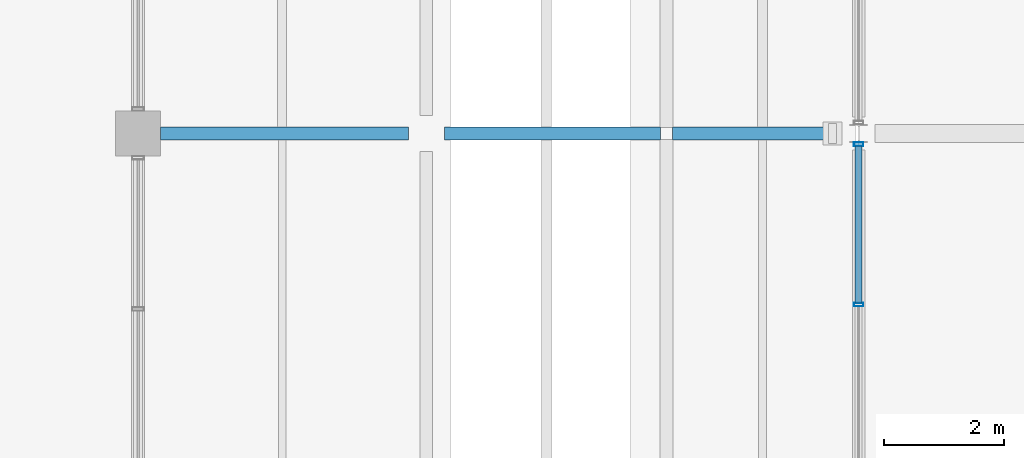
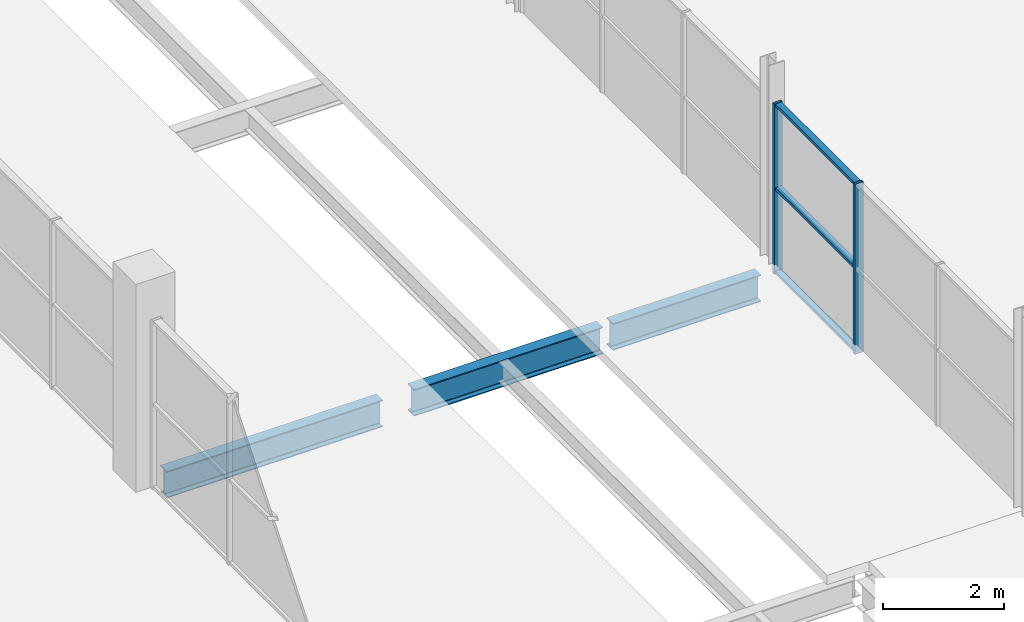
# One storey, part 108 of 161: 5 members, 3 beams, 1 element without a shape of its own.
"""IFC4 building model written with IfcOpenShell, lengths in metres."""

from ifc_helpers import new_model, si_unit, direction, frame, origin, origin_2d, place, context, subcontext, project, spatial, hollow_rectangle, i_section, extrude, material, material_profile, profile_set, type_object, element, aggregate, save


model = new_model("IFC4")

# Units and contexts
model_context = context("Model", 3, precision=1e-05, world=origin(), true_north=direction((0.0, 1.0)))
body_context = subcontext(model_context, "Body", "Model", "MODEL_VIEW")
ifc_project = project(units=[si_unit("LENGTHUNIT", "METRE"), si_unit("AREAUNIT", "SQUARE_METRE"), si_unit("VOLUMEUNIT", "CUBIC_METRE"), si_unit("PLANEANGLEUNIT", "RADIAN"), si_unit("MASSUNIT", "GRAM", prefix="KILO"), si_unit("THERMODYNAMICTEMPERATUREUNIT", "KELVIN")], contexts=[model_context])

# Site, building, storey
site_placement = place(None, origin())
site = spatial("IfcSite", under=ifc_project, at=site_placement, CompositionType="ELEMENT")
building_placement = place(site_placement, origin())
building = spatial("IfcBuilding", under=site, at=building_placement, Name="Nduvali Passage Aquatics Centre", CompositionType="ELEMENT")
storey_placement = place(building_placement, frame((0.0, 0.0, 4.800048828125)))
storey = spatial("IfcBuildingStorey", under=building, at=storey_placement, Name="L01", CompositionType="ELEMENT", Elevation=4.800048828125)

# Curtain wall, members
ifc_material_1 = material(Name="Aluminium EN AW-6063 T6", Category="aluminium")
curtain_wall_type = type_object("IfcCurtainWallType", Name="ENV-CW-FOYR", PredefinedType="NOTDEFINED", material=ifc_material_1)
curtain_wall_placement = place(storey_placement, origin())
curtain_wall = element("IfcCurtainWall", 1, at=curtain_wall_placement, inside=storey, type_object=curtain_wall_type, Name="L01 Passage Foyer Upper CW 074", PredefinedType="NOTDEFINED")
ifc_material_profile_1 = material_profile(ifc_material_1, hollow_rectangle(XDim=0.06005859375, YDim=0.159912109375, WallThickness=0.00390625, at=origin_2d()), Name="ALU MULLION 60x160x4")
ifc_profile_set_1 = profile_set([ifc_material_profile_1], Name="Aluminium EN AW-6063 T6")
member_type_1 = type_object("IfcMemberType", Name="ENV-MEM-MUL60", PredefinedType="MULLION", material=ifc_profile_set_1)
member_1_placement = place(storey_placement, frame((138.0, 64.35009765625, 0.0), z_axis=(0.0, 0.0, 1.0), x_axis=(0.0, 1.0, 0.0)))
member_1 = element("IfcMember", 2, at=member_1_placement, type_object=member_type_1, Name="Passage Foyer Upper CW Mullion 3", PredefinedType="MULLION", context=body_context, shape_type="SweptSolid", body=[
    extrude(hollow_rectangle(XDim=0.06005859375, YDim=0.159912109375, WallThickness=0.00390625, at=origin_2d()), origin(), (0.0, 0.0, 1.0), 3.436279296875),
])
member_2_placement = place(storey_placement, frame((138.0, 67.02001953125, 0.0), z_axis=(0.0, 0.0, 1.0), x_axis=(0.0, 1.0, 0.0)))
member_2 = element("IfcMember", 3, at=member_2_placement, type_object=member_type_1, Name="Passage Foyer Upper CW Mullion 4", PredefinedType="MULLION", context=body_context, shape_type="SweptSolid", body=[
    extrude(hollow_rectangle(XDim=0.06005859375, YDim=0.159912109375, WallThickness=0.00390625, at=origin_2d()), origin(), (0.0, 0.0, 1.0), 3.436279296875),
])
ifc_material_profile_2 = material_profile(ifc_material_1, hollow_rectangle(XDim=0.1201171875, YDim=0.06005859375, WallThickness=0.00390625, at=origin_2d()), Name="ALU TRANSOM 120x60x4")
ifc_profile_set_2 = profile_set([ifc_material_profile_2], Name="Aluminium EN AW-6063 T6")
member_type_2 = type_object("IfcMemberType", Name="ENV-MEM-TRN60", PredefinedType="USERDEFINED", material=ifc_profile_set_2)
member_3_placement = place(storey_placement, frame((138.0, 64.3798828125, 0.030029296875), z_axis=(0.0, 1.0, 0.0), x_axis=(-1.0, 0.0, 0.0)))
member_3 = element("IfcMember", 4, at=member_3_placement, type_object=member_type_2, Name="Passage Foyer Upper CW Transom B3-R0", ObjectType="TRANSOM", PredefinedType="USERDEFINED", context=body_context, shape_type="SweptSolid", body=[
    extrude(hollow_rectangle(XDim=0.1201171875, YDim=0.06005859375, WallThickness=0.00390625, at=origin_2d()), origin(), (0.0, 0.0, 1.0), 2.610107421875),
])
member_4_placement = place(storey_placement, frame((138.0, 64.3798828125, 1.71826171875), z_axis=(0.0, 1.0, 0.0), x_axis=(-1.0, 0.0, 0.0)))
member_4 = element("IfcMember", 5, at=member_4_placement, type_object=member_type_2, Name="Passage Foyer Upper CW Transom B3-R1", ObjectType="TRANSOM", PredefinedType="USERDEFINED", context=body_context, shape_type="SweptSolid", body=[
    extrude(hollow_rectangle(XDim=0.1201171875, YDim=0.06005859375, WallThickness=0.00390625, at=origin_2d()), origin(), (0.0, 0.0, 1.0), 2.610107421875),
])
member_5_placement = place(storey_placement, frame((138.0, 64.3798828125, 3.40625), z_axis=(0.0, 1.0, 0.0), x_axis=(-1.0, 0.0, 0.0)))
member_5 = element("IfcMember", 6, at=member_5_placement, type_object=member_type_2, Name="Passage Foyer Upper CW Transom B3-R2", ObjectType="TRANSOM", PredefinedType="USERDEFINED", context=body_context, shape_type="SweptSolid", body=[
    extrude(hollow_rectangle(XDim=0.1201171875, YDim=0.06005859375, WallThickness=0.00390625, at=origin_2d()), origin(), (0.0, 0.0, 1.0), 2.610107421875),
])
aggregate(curtain_wall, [member_1, member_2, member_3, member_4, member_5])

# Beams
ifc_material_2 = material(Name="Steel S355", Category="steel")
ifc_material_profile_3 = material_profile(ifc_material_2, i_section(OverallWidth=0.210693359375, OverallDepth=0.53955078125, WebThickness=0.01171875, FlangeThickness=0.018798828125, FilletRadius=0.0126953125, at=origin_2d()), Name="UKB 533x210x109")
ifc_profile_set_3 = profile_set([ifc_material_profile_3], Name="Steel S355")
beam_type = type_object("IfcBeamType", Name="STR-BM-UKB533", PredefinedType="BEAM", material=ifc_profile_set_3)
beam_1_placement = place(storey_placement, frame((126.375, 67.199951171875, -0.273681640625), z_axis=(1.0, 0.0, 0.0), x_axis=(0.0, 1.0, 0.0)))
element("IfcBeam", 7, at=beam_1_placement, inside=storey, type_object=beam_type, Name="L01 Primary X-Girder B6-0493", PredefinedType="BEAM", context=body_context, shape_type="SweptSolid", body=[
    extrude(i_section(OverallWidth=0.210693359375, OverallDepth=0.53955078125, WebThickness=0.01171875, FlangeThickness=0.018798828125, FilletRadius=0.0126953125, at=origin_2d()), origin(), (0.0, 0.0, 1.0), 4.125),
])
beam_2_placement = place(storey_placement, frame((131.10009765625, 67.199951171875, -0.273681640625), z_axis=(1.0, 0.0, 0.0), x_axis=(0.0, 1.0, 0.0)))
element("IfcBeam", 8, at=beam_2_placement, inside=storey, type_object=beam_type, Name="L01 Primary X-Girder B6-0494", PredefinedType="BEAM", context=body_context, shape_type="SweptSolid", body=[
    extrude(i_section(OverallWidth=0.210693359375, OverallDepth=0.53955078125, WebThickness=0.01171875, FlangeThickness=0.018798828125, FilletRadius=0.0126953125, at=origin_2d()), origin(), (0.0, 0.0, 1.0), 3.60302734375),
])
beam_3_placement = place(storey_placement, frame((134.89697265625, 67.199951171875, -0.273681640625), z_axis=(1.0, 0.0, 0.0), x_axis=(0.0, 1.0, 0.0)))
element("IfcBeam", 9, at=beam_3_placement, inside=storey, type_object=beam_type, Name="L01 Primary X-Girder B6-0495", PredefinedType="BEAM", context=body_context, shape_type="SweptSolid", body=[
    extrude(i_section(OverallWidth=0.210693359375, OverallDepth=0.53955078125, WebThickness=0.01171875, FlangeThickness=0.018798828125, FilletRadius=0.0126953125, at=origin_2d()), origin(), (0.0, 0.0, 1.0), 2.828125),
])

save(model, "model.ifc")
